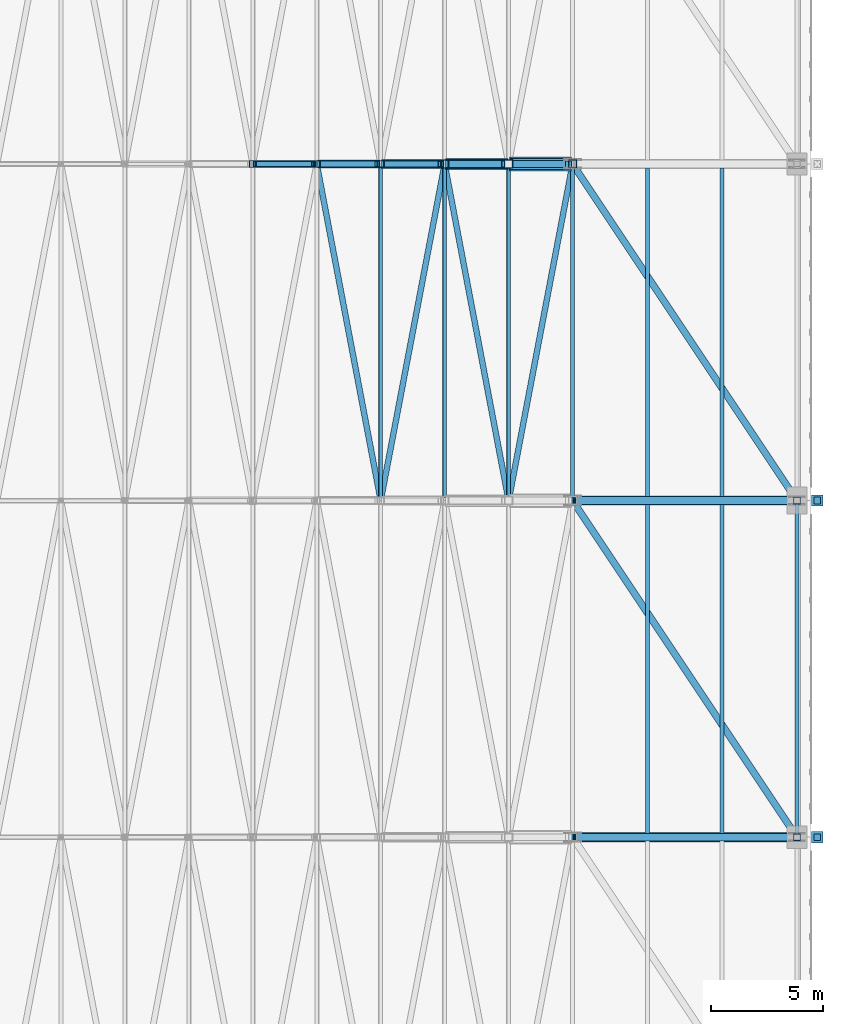
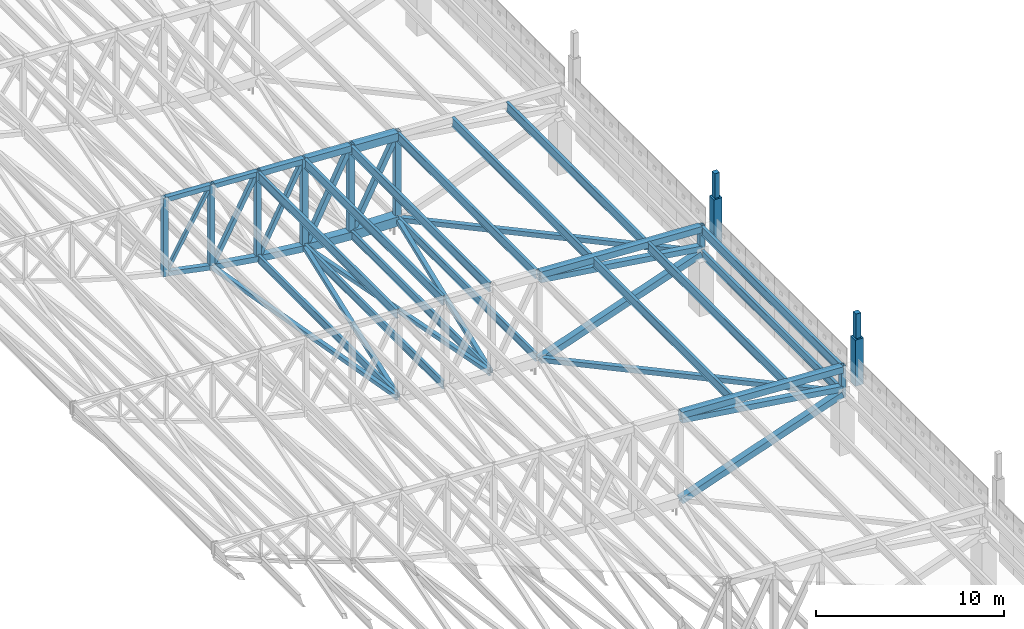
# One storey, part 60 of 278: 31 members, 22 beams.
"""IFC4 building model written with IfcOpenShell, lengths in metres."""

import ifcopenshell
import ifcopenshell.guid

model = None  # the IFC model being written
_history = None  # IfcOwnerHistory: only IFC2X3 demands one
_inside = {}  # id of a spatial element -> (the spatial element, [elements in it])
_under = {}  # id of a project, library or spatial element -> (it, [spatial elements below it])
_declared = {}  # id of a project -> (the project, [libraries it declares])
_typed = {}  # id of a type object -> (the type object, [elements of that type])
_made_of = {}  # id of a material, layer set ... -> (it, [elements and type objects made of it])


def new_model(schema):
    """Start an empty IFC model of exactly this schema.

    Asked for "IFC4X3", IfcOpenShell would pick the latest addendum, in which some entities
    have other attributes; the version numbers below select the first issue.
    IFC2X3 requires an IfcOwnerHistory on every rooted entity: one is made here for all.
    """
    global model, _history
    if schema == "IFC4X3":
        model = ifcopenshell.file(schema_version=(4, 3, 0, 0))
    else:
        model = ifcopenshell.file(schema=schema)
    _inside.clear()
    _under.clear()
    _declared.clear()
    _typed.clear()
    _made_of.clear()
    _history = None
    if model.schema == "IFC2X3":
        org = make("IfcOrganization", Name="unknown")
        user = make(
            "IfcPersonAndOrganization",
            ThePerson=make("IfcPerson", FamilyName="unknown"),
            TheOrganization=org,
        )
        app = make(
            "IfcApplication",
            ApplicationDeveloper=org,
            Version="unknown",
            ApplicationFullName="unknown",
            ApplicationIdentifier="unknown",
        )
        _history = make(
            "IfcOwnerHistory",
            OwningUser=user,
            OwningApplication=app,
            ChangeAction="ADDED",
            CreationDate=0,
        )
    return model


def make(cls, **values):
    """One entity of the class cls with the attributes given. An attribute that is None is left unset."""
    return model.create_entity(
        cls, **{name: value for name, value in values.items() if value is not None}
    )


def rooted(cls, **values):
    """An entity with a GlobalId (a new one), such as an element, a storey or a relation."""
    return make(cls, GlobalId=ifcopenshell.guid.new(), OwnerHistory=_history, **values)


def si_unit(unit_type, name, prefix=None):
    """IfcSIUnit, for example si_unit("LENGTHUNIT", "METRE", prefix="MILLI")."""
    return make("IfcSIUnit", UnitType=unit_type, Prefix=prefix, Name=name)


def assignment(units):
    """IfcUnitAssignment: the units of a project."""
    return None if units is None else make("IfcUnitAssignment", Units=units)


def point(xyz):
    """IfcCartesianPoint."""
    return None if xyz is None else make("IfcCartesianPoint", Coordinates=xyz)


def direction(xyz):
    """IfcDirection."""
    return None if xyz is None else make("IfcDirection", DirectionRatios=xyz)


def frame(location, z_axis=None, x_axis=None):
    """IfcAxis2Placement3D, a coordinate frame: its origin and axes. An axis left out is left unset."""
    return make(
        "IfcAxis2Placement3D",
        Location=point(location),
        Axis=direction(z_axis),
        RefDirection=direction(x_axis),
    )


def frame_2d(location, x_axis=None):
    """IfcAxis2Placement2D, a coordinate frame in the plane: its origin and x axis."""
    return make(
        "IfcAxis2Placement2D", Location=point(location), RefDirection=direction(x_axis)
    )


def origin():
    """The frame at (0, 0, 0) with its axes left unset."""
    return frame((0.0, 0.0, 0.0))


def origin_2d():
    """The frame at (0, 0) in the plane with its x axis left unset."""
    return frame_2d((0.0, 0.0))


def place(relative_to, where):
    """IfcLocalPlacement: puts the frame where relative to a parent placement (None: the world)."""
    return make(
        "IfcLocalPlacement", PlacementRelTo=relative_to, RelativePlacement=where
    )


def context(
    kind, dimensions, precision=None, world=None, true_north=None, identifier=None
):
    """IfcGeometricRepresentationContext, for example the 3D "Model" context."""
    return make(
        "IfcGeometricRepresentationContext",
        ContextIdentifier=identifier,
        ContextType=kind,
        CoordinateSpaceDimension=dimensions,
        Precision=precision,
        WorldCoordinateSystem=world,
        TrueNorth=true_north,
    )


def subcontext(parent, identifier, kind, view, scale=None):
    """IfcGeometricRepresentationSubContext, for example "Body" below "Model"."""
    return make(
        "IfcGeometricRepresentationSubContext",
        ContextIdentifier=identifier,
        ContextType=kind,
        ParentContext=parent,
        TargetScale=scale,
        TargetView=view,
    )


def project(units=None, contexts=None):
    """IfcProject with its units and contexts."""
    return rooted(
        "IfcProject",
        Name="project",
        RepresentationContexts=contexts,
        UnitsInContext=assignment(units),
    )


def spatial(cls, under=None, at=None, **own):
    """A site, building, storey or space (cls), placed at a placement, below another one or the project."""
    s = rooted(cls, ObjectPlacement=at, **own)
    if under is not None:
        _under.setdefault(under.id(), (under, []))[1].append(s)
    return s


def profile(cls, at=None, kind="AREA", **sizes):
    """A parametric profile (cls). Its sizes go by their IFC names, for example OverallWidth=200.0."""
    return make(cls, ProfileType=kind, Position=at, **sizes)


def rectangle(**sizes):
    """IfcRectangleProfileDef."""
    return profile("IfcRectangleProfileDef", **sizes)


def hollow_rectangle(**sizes):
    """IfcRectangleHollowProfileDef."""
    return profile("IfcRectangleHollowProfileDef", **sizes)


def i_section(**sizes):
    """IfcIShapeProfileDef."""
    return profile("IfcIShapeProfileDef", **sizes)


def extrude(swept, where, along, depth):
    """IfcExtrudedAreaSolid: the profile swept, set in the frame where, extruded along a direction by depth."""
    return make(
        "IfcExtrudedAreaSolid",
        SweptArea=swept,
        Position=where,
        ExtrudedDirection=direction(along),
        Depth=depth,
    )


def shape(context_of_items, identifier, shape_type, items):
    """IfcShapeRepresentation: the items that make up one representation, for example the "Body"."""
    return make(
        "IfcShapeRepresentation",
        ContextOfItems=context_of_items,
        RepresentationIdentifier=identifier,
        RepresentationType=shape_type,
        Items=items,
    )


def material(Name=None, Category=None):
    """IfcMaterial."""
    return make("IfcMaterial", Name=Name, Category=Category)


def material_profile(
    of_material, cross_section, Name=None, Category=None, Priority=None
):
    """IfcMaterialProfile: a cross section and its material."""
    return make(
        "IfcMaterialProfile",
        Name=Name,
        Material=of_material,
        Profile=cross_section,
        Priority=Priority,
        Category=Category,
    )


def profile_set(profiles, Name=None, composite=None):
    """IfcMaterialProfileSet."""
    return make(
        "IfcMaterialProfileSet",
        Name=Name,
        MaterialProfiles=profiles,
        CompositeProfile=composite,
    )


def made_of(thing, what):
    """Note that an element or type object is made of a material, layer set ...; save() writes the relation."""
    if what is not None:
        _made_of.setdefault(what.id(), (what, []))[1].append(thing)
    return thing


def type_object(cls, material=None, **own):
    """A type object (cls), such as IfcWallType, which elements share."""
    return made_of(rooted(cls, **own), material)


def element(
    cls,
    number,
    at=None,
    inside=None,
    cuts=None,
    type_object=None,
    material=None,
    context=None,
    identifier="Body",
    shape_type=None,
    held_by="IfcProductDefinitionShape",
    body=None,
    shapes=None,
    **own,
):
    """One element of the class cls, such as IfcWall. Its Tag is "e" and its number.

    at: its placement. inside: the storey or other place that contains it. cuts: it is an
    opening in that element (IfcRelVoidsElement). A single representation is given by context,
    identifier, shape_type and body (its items); several are given by shapes. held_by: the class
    of the entity that holds the representations. save() writes the other relations.
    """
    e = rooted(cls, Tag="e%d" % number, ObjectPlacement=at, **own)
    if body is not None:
        shapes = [shape(context, identifier, shape_type, body)]
    if shapes is not None:
        e.Representation = make(held_by, Representations=shapes)
    if inside is not None:
        _inside.setdefault(inside.id(), (inside, []))[1].append(e)
    if cuts is not None:
        rooted(
            "IfcRelVoidsElement", RelatingBuildingElement=cuts, RelatedOpeningElement=e
        )
    if type_object is not None:
        _typed.setdefault(type_object.id(), (type_object, []))[1].append(e)
    return made_of(e, material)


def aggregate(whole, parts):
    """IfcRelAggregates: a whole, such as a stair, and the parts it consists of."""
    return rooted("IfcRelAggregates", RelatingObject=whole, RelatedObjects=parts)


def save(model, path):
    """Write the relations noted so far, then the file.

    IfcRelAggregates (storeys below a building ...), IfcRelContainedInSpatialStructure (elements
    in a storey), IfcRelDefinesByType, IfcRelAssociatesMaterial and IfcRelDeclares: one each for
    every whole, place, type object, material and project.
    """
    for whole, parts in _under.values():
        aggregate(whole, parts)
    for where, things in _inside.values():
        rooted(
            "IfcRelContainedInSpatialStructure",
            RelatedElements=things,
            RelatingStructure=where,
        )
    for kind, things in _typed.values():
        rooted("IfcRelDefinesByType", RelatedObjects=things, RelatingType=kind)
    for what, things in _made_of.values():
        rooted("IfcRelAssociatesMaterial", RelatedObjects=things, RelatingMaterial=what)
    for by, libraries in _declared.values():
        rooted("IfcRelDeclares", RelatingContext=by, RelatedDefinitions=libraries)
    model.write(path)


model = new_model("IFC4")

# Units and contexts
model_context = context("Model", 3, precision=1e-05, world=origin(), true_north=direction((0.0, 1.0)))
body_context = subcontext(model_context, "Body", "Model", "MODEL_VIEW")
ifc_project = project(units=[si_unit("LENGTHUNIT", "METRE"), si_unit("AREAUNIT", "SQUARE_METRE"), si_unit("VOLUMEUNIT", "CUBIC_METRE"), si_unit("PLANEANGLEUNIT", "RADIAN"), si_unit("MASSUNIT", "GRAM", prefix="KILO")], contexts=[model_context])

# Site, building, storey
site_placement = place(None, origin())
site = spatial("IfcSite", under=ifc_project, at=site_placement, CompositionType="ELEMENT")
building_placement = place(site_placement, origin())
building = spatial("IfcBuilding", under=site, at=building_placement, Name="Ogive Plaza Stadium", CompositionType="ELEMENT")
storey_placement = place(building_placement, frame((0.0, 0.0, 29.0)))
storey = spatial("IfcBuildingStorey", under=building, at=storey_placement, Name="Roof", CompositionType="ELEMENT", Elevation=29.0)

# Members
ifc_material_1 = material(Name="Concrete C45/55 precast", Category="concrete")
ifc_material_profile_1 = material_profile(ifc_material_1, rectangle(XDim=0.5, YDim=0.5, at=origin_2d()), Name="RC 500x500")
ifc_profile_set_1 = profile_set([ifc_material_profile_1], Name="Concrete C45/55 precast")
member_type_1 = type_object("IfcMemberType", Name="Precast pinnacle 500x500", PredefinedType="POST", material=ifc_profile_set_1)
for number, where, z_axis, x_axis, name in (
    (1, (84.89990234375, 7.5, 4.0), (0.0, 0.0, 1.0), (0.0, 1.0, 0.0), "PINNACLE R04"),
    (2, (84.89990234375, -7.5, 4.0), (0.0, 0.0, 1.0), (0.0, 1.0, 0.0), "PINNACLE R05"),
):
    element("IfcMember", number, at=place(storey_placement, frame(where, z_axis=z_axis, x_axis=x_axis)), inside=storey, type_object=member_type_1, Name=name, PredefinedType="POST", context=body_context, shape_type="SweptSolid", body=[
        extrude(rectangle(XDim=0.5, YDim=0.5, at=origin_2d()), origin(), (0.0, 0.0, 1.0), 3.0),
    ])
ifc_material_2 = material(Name="Concrete C45/55 precast", Category="concrete")
ifc_material_profile_2 = material_profile(ifc_material_2, rectangle(XDim=0.300048828125, YDim=0.300048828125, at=origin_2d()), Name="RC 300x300")
ifc_profile_set_2 = profile_set([ifc_material_profile_2], Name="Concrete C45/55 precast")
member_type_2 = type_object("IfcMemberType", Name="Precast spire 300x300", PredefinedType="MEMBER", material=ifc_profile_set_2)
for number, where, z_axis, x_axis, name in (
    (3, (84.89990234375, 7.5, 7.0), (0.0, 0.0, 1.0), (0.0, 1.0, 0.0), "SPIRE R04"),
    (4, (84.89990234375, -7.5, 7.0), (0.0, 0.0, 1.0), (0.0, 1.0, 0.0), "SPIRE R05"),
):
    element("IfcMember", number, at=place(storey_placement, frame(where, z_axis=z_axis, x_axis=x_axis)), inside=storey, type_object=member_type_2, Name=name, PredefinedType="MEMBER", context=body_context, shape_type="SweptSolid", body=[
        extrude(rectangle(XDim=0.300048828125, YDim=0.300048828125, at=origin_2d()), origin(), (0.0, 0.0, 1.0), 1.60009765625),
    ])
ifc_material_3 = material(Name="Steel ASTM A500 Grade C", Category="steel")
ifc_material_profile_3 = material_profile(ifc_material_3, hollow_rectangle(XDim=0.25390625, YDim=0.25390625, WallThickness=0.0087890625, at=origin_2d()), Name="HSS10X10X3/8")
ifc_profile_set_3 = profile_set([ifc_material_profile_3], Name="Steel ASTM A500 Grade C")
member_type_3 = type_object("IfcMemberType", Name="Roof plan brace HSS10X10X3/8", PredefinedType="BRACE", material=ifc_profile_set_3)
member_1_placement = place(storey_placement, frame((62.6279296875, 22.353271484375, 1.20166015625), z_axis=(0.186585145076, -0.982045956233, -0.027779911508), x_axis=(0.982425109661, 0.186657182843, 0.0)))
element("IfcMember", 5, at=member_1_placement, inside=storey, type_object=member_type_3, Name="ROOF BRACE B03 7", PredefinedType="BRACE", context=body_context, shape_type="SweptSolid", body=[
    extrude(hollow_rectangle(XDim=0.25390625, YDim=0.25390625, WallThickness=0.0087890625, at=origin_2d()), origin(), (0.0, 0.0, 1.0), 14.975341796875),
])
member_2_placement = place(storey_placement, frame((65.477783203125, 7.646728515625, 0.77880859375), z_axis=(0.186639895054, 0.982268812283, -0.017706778071), x_axis=(-0.982422833867, 0.186669160538, 0.0)))
element("IfcMember", 6, at=member_2_placement, inside=storey, type_object=member_type_3, Name="ROOF BRACE B03 8", PredefinedType="BRACE", context=body_context, shape_type="SweptSolid", body=[
    extrude(hollow_rectangle(XDim=0.25390625, YDim=0.25390625, WallThickness=0.0087890625, at=origin_2d()), origin(), (0.0, 0.0, 1.0), 14.946044921875),
])
member_3_placement = place(storey_placement, frame((68.332763671875, 22.327880859375, 0.50927734375), z_axis=(0.186657320186, -0.982381109131, -0.009295226886), x_axis=(0.982423551356, 0.186665384421, 0.0)))
element("IfcMember", 7, at=member_3_placement, inside=storey, type_object=member_type_3, Name="ROOF BRACE B03 9", PredefinedType="BRACE", context=body_context, shape_type="SweptSolid", body=[
    extrude(hollow_rectangle(XDim=0.25390625, YDim=0.25390625, WallThickness=0.0087890625, at=origin_2d()), origin(), (0.0, 0.0, 1.0), 14.918701171875),
])
member_4_placement = place(storey_placement, frame((71.1826171875, 7.672119140625, 0.368408203125), z_axis=(0.186663720517, 0.982414794197, -0.004222272479), x_axis=(-0.982423551356, 0.186665384421, 0.0)))
element("IfcMember", 8, at=member_4_placement, inside=storey, type_object=member_type_3, Name="ROOF BRACE B03 10", PredefinedType="BRACE", context=body_context, shape_type="SweptSolid", body=[
    extrude(hollow_rectangle(XDim=0.25390625, YDim=0.25390625, WallThickness=0.0087890625, at=origin_2d()), origin(), (0.0, 0.0, 1.0), 14.918212890625),
])
ifc_material_4 = material(Name="Steel ASTM A500 Grade C", Category="steel")
ifc_material_profile_4 = material_profile(ifc_material_4, hollow_rectangle(XDim=0.3046875, YDim=0.3046875, WallThickness=0.0087890625, at=origin_2d()), Name="HSS12X12X3/8")
ifc_profile_set_4 = profile_set([ifc_material_profile_4], Name="Steel ASTM A500 Grade C")
member_type_4 = type_object("IfcMemberType", Name="Roof plan brace HSS12X12X3/8", PredefinedType="BRACE", material=ifc_profile_set_4)
for number, where, z_axis, x_axis, name in (
    (9, (74.158203125, 22.2626953125, 0.358642578125), (0.545096233751, -0.817651210116, 0.185247387419), (0.832052442118, 0.554696974542, 0.0), "ROOF BRACE B03 11"),
    (10, (74.158203125, 7.2626953125, 0.358642578125), (0.545096233751, -0.817651210116, 0.185247387419), (0.832052442118, 0.554696974542, 0.0), "ROOF BRACE B04 11"),
):
    element("IfcMember", number, at=place(storey_placement, frame(where, z_axis=z_axis, x_axis=x_axis)), inside=storey, type_object=member_type_4, Name=name, PredefinedType="BRACE", context=body_context, shape_type="SweptSolid", body=[
        extrude(hollow_rectangle(XDim=0.3046875, YDim=0.3046875, WallThickness=0.0087890625, at=origin_2d()), origin(), (0.0, 0.0, 1.0), 17.7958984375),
    ])
ifc_material_5 = material(Name="Steel ASTM A992 Grade 50", Category="steel")
ifc_material_profile_5 = material_profile(ifc_material_5, i_section(OverallWidth=0.1650390625, OverallDepth=0.524658203125, WebThickness=0.0087890625, FlangeThickness=0.011474609375, at=origin_2d()), Name="W21X44")
ifc_profile_set_5 = profile_set([ifc_material_profile_5], Name="Steel ASTM A992 Grade 50")
member_type_5 = type_object("IfcMemberType", Name="Roof plan strut W21X44", PredefinedType="STRUT", material=ifc_profile_set_5)
member_5_placement = place(storey_placement, frame((65.449951171875, 22.377685546875, 0.781494140625), z_axis=(0.0, -1.0, 0.0), x_axis=(1.0, 0.0, 0.0)))
element("IfcMember", 11, at=member_5_placement, inside=storey, type_object=member_type_5, Name="ROOF STRUT B03 7", PredefinedType="STRUT", context=body_context, shape_type="SweptSolid", body=[
    extrude(i_section(OverallWidth=0.1650390625, OverallDepth=0.524658203125, WebThickness=0.0087890625, FlangeThickness=0.011474609375, at=origin_2d()), origin(), (0.0, 0.0, 1.0), 14.75537109375),
])
for number, where, z_axis, x_axis, name in (
    (12, (68.300048828125, 22.352294921875, 0.510986328125), (0.0, -1.0, 0.0), (1.0, 0.0, 0.0), "ROOF STRUT B03 8"),
    (13, (71.14990234375, 22.352294921875, 0.369140625), (0.0, -1.0, 0.0), (1.0, 0.0, 0.0), "ROOF STRUT B03 9"),
    (14, (74.0, 22.352294921875, 0.3046875), (0.0, -1.0, 0.0), (1.0, 0.0, 0.0), "ROOF STRUT B03 10"),
):
    element("IfcMember", number, at=place(storey_placement, frame(where, z_axis=z_axis, x_axis=x_axis)), inside=storey, type_object=member_type_5, Name=name, PredefinedType="STRUT", context=body_context, shape_type="SweptSolid", body=[
        extrude(i_section(OverallWidth=0.1650390625, OverallDepth=0.524658203125, WebThickness=0.0087890625, FlangeThickness=0.011474609375, at=origin_2d()), origin(), (0.0, 0.0, 1.0), 14.70458984375),
    ])
member_6_placement = place(storey_placement, frame((84.0, 7.377685546875, 3.703125), z_axis=(0.0, -1.0, 0.0), x_axis=(1.0, 0.0, 0.0)))
element("IfcMember", 15, at=member_6_placement, inside=storey, type_object=member_type_5, Name="ROOF STRUT B04 11", PredefinedType="STRUT", context=body_context, shape_type="SweptSolid", body=[
    extrude(i_section(OverallWidth=0.1650390625, OverallDepth=0.524658203125, WebThickness=0.0087890625, FlangeThickness=0.011474609375, at=origin_2d()), origin(), (0.0, 0.0, 1.0), 14.75537109375),
])
ifc_material_6 = material(Name="Steel ASTM A992 Grade 50", Category="steel")
ifc_material_profile_6 = material_profile(ifc_material_6, i_section(OverallWidth=0.177978515625, OverallDepth=0.5986328125, WebThickness=0.010009765625, FlangeThickness=0.012939453125, at=origin_2d()), Name="W24X55")
ifc_profile_set_6 = profile_set([ifc_material_profile_6], Name="Steel ASTM A992 Grade 50")
member_type_6 = type_object("IfcMemberType", Name="Roof purlin W24X55", PredefinedType="PURLIN", material=ifc_profile_set_6)
member_7_placement = place(storey_placement, frame((65.449951171875, 22.377685546875, 6.128173828125), z_axis=(0.0, -1.0, 0.0), x_axis=(1.0, 0.0, 0.0)))
element("IfcMember", 16, at=member_7_placement, inside=storey, type_object=member_type_6, Name="ROOF PURLIN B03 7", PredefinedType="PURLIN", context=body_context, shape_type="SweptSolid", body=[
    extrude(i_section(OverallWidth=0.177978515625, OverallDepth=0.5986328125, WebThickness=0.010009765625, FlangeThickness=0.012939453125, at=origin_2d()), origin(), (0.0, 0.0, 1.0), 14.75537109375),
])
for number, where, z_axis, x_axis, name in (
    (17, (68.300048828125, 22.352294921875, 5.985595703125), (0.0, -1.0, 0.0), (1.0, 0.0, 0.0), "ROOF PURLIN B03 8"),
    (18, (71.14990234375, 22.352294921875, 5.84326171875), (0.0, -1.0, 0.0), (1.0, 0.0, 0.0), "ROOF PURLIN B03 9"),
    (19, (74.0, 22.352294921875, 5.70068359375), (0.0, -1.0, 0.0), (1.0, 0.0, 0.0), "ROOF PURLIN B03 10"),
):
    element("IfcMember", number, at=place(storey_placement, frame(where, z_axis=z_axis, x_axis=x_axis)), inside=storey, type_object=member_type_6, Name=name, PredefinedType="PURLIN", context=body_context, shape_type="SweptSolid", body=[
        extrude(i_section(OverallWidth=0.177978515625, OverallDepth=0.5986328125, WebThickness=0.010009765625, FlangeThickness=0.012939453125, at=origin_2d()), origin(), (0.0, 0.0, 1.0), 14.70458984375),
    ])
for number, where, z_axis, x_axis, name in (
    (20, (77.333251953125, 22.326904296875, 5.533935546875), (0.0, -1.0, 0.0), (1.0, 0.0, 0.0), "ROOF PURLIN B03 11"),
    (21, (80.666748046875, 22.326904296875, 5.367431640625), (0.0, -1.0, 0.0), (1.0, 0.0, 0.0), "ROOF PURLIN B03 12"),
    (22, (77.333251953125, 7.326904296875, 5.533935546875), (0.0, -1.0, 0.0), (1.0, 0.0, 0.0), "ROOF PURLIN B04 11"),
    (23, (80.666748046875, 7.326904296875, 5.367431640625), (0.0, -1.0, 0.0), (1.0, 0.0, 0.0), "ROOF PURLIN B04 12"),
):
    element("IfcMember", number, at=place(storey_placement, frame(where, z_axis=z_axis, x_axis=x_axis)), inside=storey, type_object=member_type_6, Name=name, PredefinedType="PURLIN", context=body_context, shape_type="SweptSolid", body=[
        extrude(i_section(OverallWidth=0.177978515625, OverallDepth=0.5986328125, WebThickness=0.010009765625, FlangeThickness=0.012939453125, at=origin_2d()), origin(), (0.0, 0.0, 1.0), 14.65380859375),
    ])
member_8_placement = place(storey_placement, frame((84.0, 7.377685546875, 5.20068359375), z_axis=(0.0, -1.0, 0.0), x_axis=(1.0, 0.0, 0.0)))
element("IfcMember", 24, at=member_8_placement, inside=storey, type_object=member_type_6, Name="ROOF PURLIN B04 13", PredefinedType="PURLIN", context=body_context, shape_type="SweptSolid", body=[
    extrude(i_section(OverallWidth=0.177978515625, OverallDepth=0.5986328125, WebThickness=0.010009765625, FlangeThickness=0.012939453125, at=origin_2d()), origin(), (0.0, 0.0, 1.0), 14.75537109375),
])

# Beams
ifc_material_7 = material(Name="Steel ASTM A500 Grade C", Category="steel")
ifc_material_profile_7 = material_profile(ifc_material_7, hollow_rectangle(XDim=0.406494140625, YDim=0.406494140625, WallThickness=0.0146484375, at=origin_2d()), Name="HSS16X16X5/8")
ifc_profile_set_7 = profile_set([ifc_material_profile_7], Name="Steel ASTM A500 Grade C")
beam_type_1 = type_object("IfcBeamType", Name="Roof truss back-span bottom chord HSS16X16X5/8", PredefinedType="BEAM", material=ifc_profile_set_7)
for number, where, z_axis, x_axis, name in (
    (25, (74.050048828125, 7.5, 0.232666015625), (0.943851085966, 0.0, 0.330371196567), (0.0, 1.0, 0.0), "ROOF TRUSS T04 BOTTOM CHORD 11"),
    (26, (74.050048828125, -7.5, 0.232666015625), (0.943851085966, 0.0, 0.330371196567), (0.0, 1.0, 0.0), "ROOF TRUSS T05 BOTTOM CHORD 11"),
):
    element("IfcBeam", number, at=place(storey_placement, frame(where, z_axis=z_axis, x_axis=x_axis)), inside=storey, type_object=beam_type_1, Name=name, PredefinedType="BEAM", context=body_context, shape_type="SweptSolid", body=[
        extrude(hollow_rectangle(XDim=0.406494140625, YDim=0.406494140625, WallThickness=0.0146484375, at=origin_2d()), origin(), (0.0, 0.0, 1.0), 10.470703125),
    ])
ifc_material_8 = material(Name="Steel ASTM A500 Grade C", Category="steel")
ifc_material_profile_8 = material_profile(ifc_material_8, hollow_rectangle(XDim=0.406494140625, YDim=0.406494140625, WallThickness=0.0146484375, at=origin_2d()), Name="HSS16X16X5/8")
ifc_profile_set_8 = profile_set([ifc_material_profile_8], Name="Steel ASTM A500 Grade C")
beam_type_2 = type_object("IfcBeamType", Name="Roof truss back-span top chord HSS16X16X5/8", PredefinedType="BEAM", material=ifc_profile_set_8)
for number, where, z_axis, x_axis, name in (
    (27, (74.050048828125, 7.5, 5.7939453125), (0.998752953021, 0.0, -0.049925332571), (0.0, 1.0, 0.0), "ROOF TRUSS T04 TOP CHORD 11"),
    (28, (74.050048828125, -7.5, 5.7939453125), (0.998752953021, 0.0, -0.049925332571), (0.0, 1.0, 0.0), "ROOF TRUSS T05 TOP CHORD 11"),
):
    element("IfcBeam", number, at=place(storey_placement, frame(where, z_axis=z_axis, x_axis=x_axis)), inside=storey, type_object=beam_type_2, Name=name, PredefinedType="BEAM", context=body_context, shape_type="SweptSolid", body=[
        extrude(hollow_rectangle(XDim=0.406494140625, YDim=0.406494140625, WallThickness=0.0146484375, at=origin_2d()), origin(), (0.0, 0.0, 1.0), 9.912353515625),
    ])

# Members
ifc_material_9 = material(Name="Steel ASTM A500 Grade C", Category="steel")
ifc_material_profile_9 = material_profile(ifc_material_9, hollow_rectangle(XDim=0.355712890625, YDim=0.355712890625, WallThickness=0.0146484375, at=origin_2d()), Name="HSS14X14X5/8")
ifc_profile_set_9 = profile_set([ifc_material_profile_9], Name="Steel ASTM A500 Grade C")
member_type_7 = type_object("IfcMemberType", Name="Roof truss back-stay HSS14X14X5/8", PredefinedType="BRACE", material=ifc_profile_set_9)
for number, where, z_axis, x_axis, name in (
    (29, (74.093017578125, 7.5, 5.45654296875), (0.989844100519, 0.0, -0.142157154826), (0.0, 1.0, 0.0), "BACK-STAY T04"),
    (30, (74.093017578125, -7.5, 5.45654296875), (0.989844100519, 0.0, -0.142157154826), (0.0, 1.0, 0.0), "BACK-STAY T05"),
):
    element("IfcMember", number, at=place(storey_placement, frame(where, z_axis=z_axis, x_axis=x_axis)), inside=storey, type_object=member_type_7, Name=name, PredefinedType="BRACE", context=body_context, shape_type="SweptSolid", body=[
        extrude(hollow_rectangle(XDim=0.355712890625, YDim=0.355712890625, WallThickness=0.0146484375, at=origin_2d()), origin(), (0.0, 0.0, 1.0), 9.9404296875),
    ])

# Beams
ifc_material_10 = material(Name="Steel ASTM A500 Grade C", Category="steel")
ifc_material_profile_10 = material_profile(ifc_material_10, hollow_rectangle(XDim=0.3046875, YDim=0.3046875, WallThickness=0.0146484375, at=origin_2d()), Name="HSS12X12X5/8")
ifc_profile_set_10 = profile_set([ifc_material_profile_10], Name="Steel ASTM A500 Grade C")
beam_type_3 = type_object("IfcBeamType", Name="Roof truss bottom chord HSS12X12X5/8", PredefinedType="BEAM", material=ifc_profile_set_10)
beam_1_placement = place(storey_placement, frame((59.800048828125, 22.5, 1.751708984375), z_axis=(0.980021250437, 0.0, -0.19889280704), x_axis=(0.0, 1.0, 0.0)))
element("IfcBeam", 31, at=beam_1_placement, inside=storey, type_object=beam_type_3, Name="ROOF TRUSS T03 BOTTOM CHORD 6", PredefinedType="BEAM", context=body_context, shape_type="SweptSolid", body=[
    extrude(hollow_rectangle(XDim=0.3046875, YDim=0.3046875, WallThickness=0.0146484375, at=origin_2d()), origin(), (0.0, 0.0, 1.0), 2.80615234375),
])
ifc_material_11 = material(Name="Steel ASTM A500 Grade C", Category="steel")
ifc_material_profile_11 = material_profile(ifc_material_11, hollow_rectangle(XDim=0.355712890625, YDim=0.355712890625, WallThickness=0.0146484375, at=origin_2d()), Name="HSS14X14X5/8")
ifc_profile_set_11 = profile_set([ifc_material_profile_11], Name="Steel ASTM A500 Grade C")
beam_type_4 = type_object("IfcBeamType", Name="Roof truss bottom chord HSS14X14X5/8", PredefinedType="BEAM", material=ifc_profile_set_11)
beam_2_placement = place(storey_placement, frame((62.64990234375, 22.5, 1.2001953125), z_axis=(0.987770074518, 0.0, -0.155917541947), x_axis=(0.0, 1.0, 0.0)))
element("IfcBeam", 32, at=beam_2_placement, inside=storey, type_object=beam_type_4, Name="ROOF TRUSS T03 BOTTOM CHORD 7", PredefinedType="BEAM", context=body_context, shape_type="SweptSolid", body=[
    extrude(hollow_rectangle(XDim=0.355712890625, YDim=0.355712890625, WallThickness=0.0146484375, at=origin_2d()), origin(), (0.0, 0.0, 1.0), 2.783935546875),
])
ifc_material_12 = material(Name="Steel ASTM A500 Grade C", Category="steel")
ifc_material_profile_12 = material_profile(ifc_material_12, hollow_rectangle(XDim=0.406494140625, YDim=0.406494140625, WallThickness=0.0146484375, at=origin_2d()), Name="HSS16X16X5/8")
ifc_profile_set_12 = profile_set([ifc_material_profile_12], Name="Steel ASTM A500 Grade C")
beam_type_5 = type_object("IfcBeamType", Name="Roof truss bottom chord HSS16X16X5/8", PredefinedType="BEAM", material=ifc_profile_set_12)
beam_3_placement = place(storey_placement, frame((65.5, 22.5, 0.777099609375), z_axis=(0.993703844406, 0.0, -0.112038696946), x_axis=(0.0, 1.0, 0.0)))
element("IfcBeam", 33, at=beam_3_placement, inside=storey, type_object=beam_type_5, Name="ROOF TRUSS T03 BOTTOM CHORD 8", PredefinedType="BEAM", context=body_context, shape_type="SweptSolid", body=[
    extrude(hollow_rectangle(XDim=0.406494140625, YDim=0.406494140625, WallThickness=0.0146484375, at=origin_2d()), origin(), (0.0, 0.0, 1.0), 2.767333984375),
])
ifc_material_13 = material(Name="Steel ASTM A500 Grade C", Category="steel")
ifc_material_profile_13 = material_profile(ifc_material_13, hollow_rectangle(XDim=0.508056640625, YDim=0.508056640625, WallThickness=0.0146484375, at=origin_2d()), Name="HSS20X20X5/8")
ifc_profile_set_13 = profile_set([ifc_material_profile_13], Name="Steel ASTM A500 Grade C")
beam_type_6 = type_object("IfcBeamType", Name="Roof truss bottom chord HSS20X20X5/8", PredefinedType="BEAM", material=ifc_profile_set_13)
beam_4_placement = place(storey_placement, frame((68.35009765625, 22.5, 0.50830078125), z_axis=(0.997719620387, 0.0, -0.06749488199), x_axis=(0.0, 1.0, 0.0)))
element("IfcBeam", 34, at=beam_4_placement, inside=storey, type_object=beam_type_6, Name="ROOF TRUSS T03 BOTTOM CHORD 9", PredefinedType="BEAM", context=body_context, shape_type="SweptSolid", body=[
    extrude(hollow_rectangle(XDim=0.508056640625, YDim=0.508056640625, WallThickness=0.0146484375, at=origin_2d()), origin(), (0.0, 0.0, 1.0), 2.75634765625),
])
ifc_material_14 = material(Name="Steel ASTM A500 Grade C", Category="steel")
ifc_material_profile_14 = material_profile(ifc_material_14, hollow_rectangle(XDim=0.609619140625, YDim=0.609619140625, WallThickness=0.0146484375, at=origin_2d()), Name="HSS24X24X5/8")
ifc_profile_set_14 = profile_set([ifc_material_profile_14], Name="Steel ASTM A500 Grade C")
beam_type_7 = type_object("IfcBeamType", Name="Roof truss bottom chord HSS24X24X5/8", PredefinedType="BEAM", material=ifc_profile_set_14)
beam_5_placement = place(storey_placement, frame((71.199951171875, 22.5, 0.367919921875), z_axis=(0.999745852076, 0.0, -0.022543984946), x_axis=(0.0, 1.0, 0.0)))
element("IfcBeam", 35, at=beam_5_placement, inside=storey, type_object=beam_type_7, Name="ROOF TRUSS T03 BOTTOM CHORD 10", PredefinedType="BEAM", context=body_context, shape_type="SweptSolid", body=[
    extrude(hollow_rectangle(XDim=0.609619140625, YDim=0.609619140625, WallThickness=0.0146484375, at=origin_2d()), origin(), (0.0, 0.0, 1.0), 2.750732421875),
])

# Members
ifc_material_15 = material(Name="Steel ASTM A500 Grade C", Category="steel")
ifc_material_profile_15 = material_profile(ifc_material_15, hollow_rectangle(XDim=0.25390625, YDim=0.25390625, WallThickness=0.0087890625, at=origin_2d()), Name="HSS10X10X3/8")
ifc_profile_set_15 = profile_set([ifc_material_profile_15], Name="Steel ASTM A500 Grade C")
member_type_8 = type_object("IfcMemberType", Name="Roof truss diagonal HSS10X10X3/8", PredefinedType="BRACE", material=ifc_profile_set_15)
member_9_placement = place(storey_placement, frame((62.75244140625, 22.5, 1.383544921875), z_axis=(0.473127942579, 0.0, 0.880993728667), x_axis=(0.0, 1.0, 0.0)))
element("IfcMember", 36, at=member_9_placement, inside=storey, type_object=member_type_8, Name="ROOF TRUSS T03 DIAGONAL 7", PredefinedType="BRACE", context=body_context, shape_type="SweptSolid", body=[
    extrude(hollow_rectangle(XDim=0.25390625, YDim=0.25390625, WallThickness=0.0087890625, at=origin_2d()), origin(), (0.0, 0.0, 1.0), 5.37939453125),
])
member_10_placement = place(storey_placement, frame((65.602294921875, 22.5, 0.984619140625), z_axis=(0.454062843231, 0.0, 0.890969659639), x_axis=(0.0, 1.0, 0.0)))
element("IfcMember", 37, at=member_10_placement, inside=storey, type_object=member_type_8, Name="ROOF TRUSS T03 DIAGONAL 8", PredefinedType="BRACE", context=body_context, shape_type="SweptSolid", body=[
    extrude(hollow_rectangle(XDim=0.25390625, YDim=0.25390625, WallThickness=0.0087890625, at=origin_2d()), origin(), (0.0, 0.0, 1.0), 5.550048828125),
])
ifc_material_16 = material(Name="Steel ASTM A500 Grade C", Category="steel")
ifc_material_profile_16 = material_profile(ifc_material_16, hollow_rectangle(XDim=0.3046875, YDim=0.3046875, WallThickness=0.0087890625, at=origin_2d()), Name="HSS12X12X3/8")
ifc_profile_set_16 = profile_set([ifc_material_profile_16], Name="Steel ASTM A500 Grade C")
member_type_9 = type_object("IfcMemberType", Name="Roof truss diagonal HSS12X12X3/8", PredefinedType="BRACE", material=ifc_profile_set_16)
member_11_placement = place(storey_placement, frame((68.477783203125, 22.5, 0.764892578125), z_axis=(0.448477330766, 0.0, 0.893794206621), x_axis=(0.0, 1.0, 0.0)))
element("IfcMember", 38, at=member_11_placement, inside=storey, type_object=member_type_9, Name="ROOF TRUSS T03 DIAGONAL 9", PredefinedType="BRACE", context=body_context, shape_type="SweptSolid", body=[
    extrude(hollow_rectangle(XDim=0.3046875, YDim=0.3046875, WallThickness=0.0087890625, at=origin_2d()), origin(), (0.0, 0.0, 1.0), 5.56201171875),
])
member_12_placement = place(storey_placement, frame((71.327880859375, 22.5, 0.673828125), z_axis=(0.459750963822, 0.0, 0.888047887934), x_axis=(0.0, 1.0, 0.0)))
element("IfcMember", 39, at=member_12_placement, inside=storey, type_object=member_type_9, Name="ROOF TRUSS T03 DIAGONAL 10", PredefinedType="BRACE", context=body_context, shape_type="SweptSolid", body=[
    extrude(hollow_rectangle(XDim=0.3046875, YDim=0.3046875, WallThickness=0.0087890625, at=origin_2d()), origin(), (0.0, 0.0, 1.0), 5.425537109375),
])
ifc_material_17 = material(Name="Steel ASTM A500 Grade C", Category="steel")
ifc_material_profile_17 = material_profile(ifc_material_17, hollow_rectangle(XDim=0.203125, YDim=0.203125, WallThickness=0.0087890625, at=origin_2d()), Name="HSS8X8X3/8")
ifc_profile_set_17 = profile_set([ifc_material_profile_17], Name="Steel ASTM A500 Grade C")
member_type_10 = type_object("IfcMemberType", Name="Roof truss diagonal HSS8X8X3/8", PredefinedType="BRACE", material=ifc_profile_set_17)
member_13_placement = place(storey_placement, frame((59.90234375, 22.5, 1.9111328125), z_axis=(0.504659398762, 0.0, 0.863318534054), x_axis=(0.0, 1.0, 0.0)))
element("IfcMember", 40, at=member_13_placement, inside=storey, type_object=member_type_10, Name="ROOF TRUSS T03 DIAGONAL 6", PredefinedType="BRACE", context=body_context, shape_type="SweptSolid", body=[
    extrude(hollow_rectangle(XDim=0.203125, YDim=0.203125, WallThickness=0.0087890625, at=origin_2d()), origin(), (0.0, 0.0, 1.0), 5.043212890625),
])

# Beams
ifc_material_18 = material(Name="Steel ASTM A500 Grade C", Category="steel")
ifc_material_profile_18 = material_profile(ifc_material_18, hollow_rectangle(XDim=0.3046875, YDim=0.3046875, WallThickness=0.01171875, at=origin_2d()), Name="HSS12X12X1/2")
ifc_profile_set_18 = profile_set([ifc_material_profile_18], Name="Steel ASTM A500 Grade C")
beam_type_8 = type_object("IfcBeamType", Name="Roof truss post HSS12X12X1/2", PredefinedType="BEAM", material=ifc_profile_set_18)
beam_6_placement = place(storey_placement, frame((59.75, 22.5, 1.606201171875), z_axis=(0.0, 0.0, 1.0), x_axis=(0.0, 1.0, 0.0)))
element("IfcBeam", 41, at=beam_6_placement, inside=storey, type_object=beam_type_8, Name="ROOF TRUSS T03 POST 6", PredefinedType="BEAM", context=body_context, shape_type="SweptSolid", body=[
    extrude(hollow_rectangle(XDim=0.3046875, YDim=0.3046875, WallThickness=0.01171875, at=origin_2d()), origin(), (0.0, 0.0, 1.0), 5.106201171875),
])
for number, where, z_axis, x_axis, name in (
    (42, (84.0, 7.5, 3.43994140625), (0.0, 0.0, 1.0), (0.0, 1.0, 0.0), "ROOF TRUSS T04 POST 12"),
    (43, (84.0, -7.5, 3.43994140625), (0.0, 0.0, 1.0), (0.0, 1.0, 0.0), "ROOF TRUSS T05 POST 12"),
):
    element("IfcBeam", number, at=place(storey_placement, frame(where, z_axis=z_axis, x_axis=x_axis)), inside=storey, type_object=beam_type_8, Name=name, PredefinedType="BEAM", context=body_context, shape_type="SweptSolid", body=[
        extrude(hollow_rectangle(XDim=0.3046875, YDim=0.3046875, WallThickness=0.01171875, at=origin_2d()), origin(), (0.0, 0.0, 1.0), 2.06005859375),
    ])
ifc_material_19 = material(Name="Steel ASTM A500 Grade C", Category="steel")
ifc_material_profile_19 = material_profile(ifc_material_19, hollow_rectangle(XDim=0.3046875, YDim=0.3046875, WallThickness=0.0146484375, at=origin_2d()), Name="HSS12X12X5/8")
ifc_profile_set_19 = profile_set([ifc_material_profile_19], Name="Steel ASTM A500 Grade C")
beam_type_9 = type_object("IfcBeamType", Name="Roof truss post HSS12X12X5/8", PredefinedType="BEAM", material=ifc_profile_set_19)
beam_7_placement = place(storey_placement, frame((62.60009765625, 22.5, 1.028076171875), z_axis=(0.0, 0.0, 1.0), x_axis=(0.0, 1.0, 0.0)))
element("IfcBeam", 44, at=beam_7_placement, inside=storey, type_object=beam_type_9, Name="ROOF TRUSS T03 POST 7", PredefinedType="BEAM", context=body_context, shape_type="SweptSolid", body=[
    extrude(hollow_rectangle(XDim=0.3046875, YDim=0.3046875, WallThickness=0.0146484375, at=origin_2d()), origin(), (0.0, 0.0, 1.0), 5.5419921875),
])
beam_8_placement = place(storey_placement, frame((65.449951171875, 22.5, 0.578369140625), z_axis=(0.0, 0.0, 1.0), x_axis=(0.0, 1.0, 0.0)))
element("IfcBeam", 45, at=beam_8_placement, inside=storey, type_object=beam_type_9, Name="ROOF TRUSS T03 POST 8", PredefinedType="BEAM", context=body_context, shape_type="SweptSolid", body=[
    extrude(hollow_rectangle(XDim=0.3046875, YDim=0.3046875, WallThickness=0.0146484375, at=origin_2d()), origin(), (0.0, 0.0, 1.0), 5.84912109375),
])
ifc_material_20 = material(Name="Steel ASTM A500 Grade C", Category="steel")
ifc_material_profile_20 = material_profile(ifc_material_20, hollow_rectangle(XDim=0.355712890625, YDim=0.355712890625, WallThickness=0.0146484375, at=origin_2d()), Name="HSS14X14X5/8")
ifc_profile_set_20 = profile_set([ifc_material_profile_20], Name="Steel ASTM A500 Grade C")
beam_type_10 = type_object("IfcBeamType", Name="Roof truss post HSS14X14X5/8", PredefinedType="BEAM", material=ifc_profile_set_20)
beam_9_placement = place(storey_placement, frame((68.300048828125, 22.5, 0.257080078125), z_axis=(0.0, 0.0, 1.0), x_axis=(0.0, 1.0, 0.0)))
element("IfcBeam", 46, at=beam_9_placement, inside=storey, type_object=beam_type_10, Name="ROOF TRUSS T03 POST 9", PredefinedType="BEAM", context=body_context, shape_type="SweptSolid", body=[
    extrude(hollow_rectangle(XDim=0.355712890625, YDim=0.355712890625, WallThickness=0.0146484375, at=origin_2d()), origin(), (0.0, 0.0, 1.0), 6.02783203125),
])
beam_10_placement = place(storey_placement, frame((71.14990234375, 22.5, 0.064208984375), z_axis=(0.0, 0.0, 1.0), x_axis=(0.0, 1.0, 0.0)))
element("IfcBeam", 47, at=beam_10_placement, inside=storey, type_object=beam_type_10, Name="ROOF TRUSS T03 POST 10", PredefinedType="BEAM", context=body_context, shape_type="SweptSolid", body=[
    extrude(hollow_rectangle(XDim=0.355712890625, YDim=0.355712890625, WallThickness=0.0146484375, at=origin_2d()), origin(), (0.0, 0.0, 1.0), 6.078369140625),
])
beam_11_placement = place(storey_placement, frame((74.0, 22.5, -0.06005859375), z_axis=(0.0, 0.0, 1.0), x_axis=(0.0, 1.0, 0.0)))
element("IfcBeam", 48, at=beam_11_placement, inside=storey, type_object=beam_type_10, Name="ROOF TRUSS T03 POST 11", PredefinedType="BEAM", context=body_context, shape_type="SweptSolid", body=[
    extrude(hollow_rectangle(XDim=0.355712890625, YDim=0.355712890625, WallThickness=0.0146484375, at=origin_2d()), origin(), (0.0, 0.0, 1.0), 6.06005859375),
])
ifc_material_21 = material(Name="Steel ASTM A500 Grade C", Category="steel")
ifc_material_profile_21 = material_profile(ifc_material_21, hollow_rectangle(XDim=0.3046875, YDim=0.3046875, WallThickness=0.01171875, at=origin_2d()), Name="HSS12X12X1/2")
ifc_profile_set_21 = profile_set([ifc_material_profile_21], Name="Steel ASTM A500 Grade C")
beam_type_11 = type_object("IfcBeamType", Name="Roof truss top chord HSS12X12X1/2", PredefinedType="BEAM", material=ifc_profile_set_21)
beam_12_placement = place(storey_placement, frame((62.64990234375, 22.5, 6.414794921875), z_axis=(0.998753223187, 0.0, -0.049919927615), x_axis=(0.0, 1.0, 0.0)))
element("IfcBeam", 49, at=beam_12_placement, inside=storey, type_object=beam_type_11, Name="ROOF TRUSS T03 TOP CHORD 7", PredefinedType="BEAM", context=body_context, shape_type="SweptSolid", body=[
    extrude(hollow_rectangle(XDim=0.3046875, YDim=0.3046875, WallThickness=0.01171875, at=origin_2d()), origin(), (0.0, 0.0, 1.0), 2.75341796875),
])
ifc_material_22 = material(Name="Steel ASTM A500 Grade C", Category="steel")
ifc_material_profile_22 = material_profile(ifc_material_22, hollow_rectangle(XDim=0.3046875, YDim=0.3046875, WallThickness=0.0087890625, at=origin_2d()), Name="HSS12X12X3/8")
ifc_profile_set_22 = profile_set([ifc_material_profile_22], Name="Steel ASTM A500 Grade C")
beam_type_12 = type_object("IfcBeamType", Name="Roof truss top chord HSS12X12X3/8", PredefinedType="BEAM", material=ifc_profile_set_22)
beam_13_placement = place(storey_placement, frame((59.800048828125, 22.5, 6.557373046875), z_axis=(0.998753223187, 0.0, -0.049919927615), x_axis=(0.0, 1.0, 0.0)))
element("IfcBeam", 50, at=beam_13_placement, inside=storey, type_object=beam_type_12, Name="ROOF TRUSS T03 TOP CHORD 6", PredefinedType="BEAM", context=body_context, shape_type="SweptSolid", body=[
    extrude(hollow_rectangle(XDim=0.3046875, YDim=0.3046875, WallThickness=0.0087890625, at=origin_2d()), origin(), (0.0, 0.0, 1.0), 2.75341796875),
])
ifc_material_23 = material(Name="Steel ASTM A500 Grade C", Category="steel")
ifc_material_profile_23 = material_profile(ifc_material_23, hollow_rectangle(XDim=0.355712890625, YDim=0.355712890625, WallThickness=0.01171875, at=origin_2d()), Name="HSS14X14X1/2")
ifc_profile_set_23 = profile_set([ifc_material_profile_23], Name="Steel ASTM A500 Grade C")
beam_type_13 = type_object("IfcBeamType", Name="Roof truss top chord HSS14X14X1/2", PredefinedType="BEAM", material=ifc_profile_set_23)
beam_14_placement = place(storey_placement, frame((65.5, 22.5, 6.2470703125), z_axis=(0.998748798523, 0.0, -0.05000837379), x_axis=(0.0, 1.0, 0.0)))
element("IfcBeam", 51, at=beam_14_placement, inside=storey, type_object=beam_type_13, Name="ROOF TRUSS T03 TOP CHORD 8", PredefinedType="BEAM", context=body_context, shape_type="SweptSolid", body=[
    extrude(hollow_rectangle(XDim=0.355712890625, YDim=0.355712890625, WallThickness=0.01171875, at=origin_2d()), origin(), (0.0, 0.0, 1.0), 2.75341796875),
])
ifc_material_24 = material(Name="Steel ASTM A500 Grade C", Category="steel")
ifc_material_profile_24 = material_profile(ifc_material_24, hollow_rectangle(XDim=0.406494140625, YDim=0.406494140625, WallThickness=0.01171875, at=origin_2d()), Name="HSS16X16X1/2")
ifc_profile_set_24 = profile_set([ifc_material_profile_24], Name="Steel ASTM A500 Grade C")
beam_type_14 = type_object("IfcBeamType", Name="Roof truss top chord HSS16X16X1/2", PredefinedType="BEAM", material=ifc_profile_set_24)
beam_15_placement = place(storey_placement, frame((68.35009765625, 22.5, 6.0791015625), z_axis=(0.998753223187, 0.0, -0.049919927615), x_axis=(0.0, 1.0, 0.0)))
element("IfcBeam", 52, at=beam_15_placement, inside=storey, type_object=beam_type_14, Name="ROOF TRUSS T03 TOP CHORD 9", PredefinedType="BEAM", context=body_context, shape_type="SweptSolid", body=[
    extrude(hollow_rectangle(XDim=0.406494140625, YDim=0.406494140625, WallThickness=0.01171875, at=origin_2d()), origin(), (0.0, 0.0, 1.0), 2.75341796875),
])
ifc_material_25 = material(Name="Steel ASTM A500 Grade C", Category="steel")
ifc_material_profile_25 = material_profile(ifc_material_25, hollow_rectangle(XDim=0.508056640625, YDim=0.508056640625, WallThickness=0.0146484375, at=origin_2d()), Name="HSS20X20X5/8")
ifc_profile_set_25 = profile_set([ifc_material_profile_25], Name="Steel ASTM A500 Grade C")
beam_type_15 = type_object("IfcBeamType", Name="Roof truss top chord HSS20X20X5/8", PredefinedType="BEAM", material=ifc_profile_set_25)
beam_16_placement = place(storey_placement, frame((71.199951171875, 22.5, 5.8857421875), z_axis=(0.998753223187, 0.0, -0.049919927615), x_axis=(0.0, 1.0, 0.0)))
element("IfcBeam", 53, at=beam_16_placement, inside=storey, type_object=beam_type_15, Name="ROOF TRUSS T03 TOP CHORD 10", PredefinedType="BEAM", context=body_context, shape_type="SweptSolid", body=[
    extrude(hollow_rectangle(XDim=0.508056640625, YDim=0.508056640625, WallThickness=0.0146484375, at=origin_2d()), origin(), (0.0, 0.0, 1.0), 2.75341796875),
])

save(model, "model.ifc")
